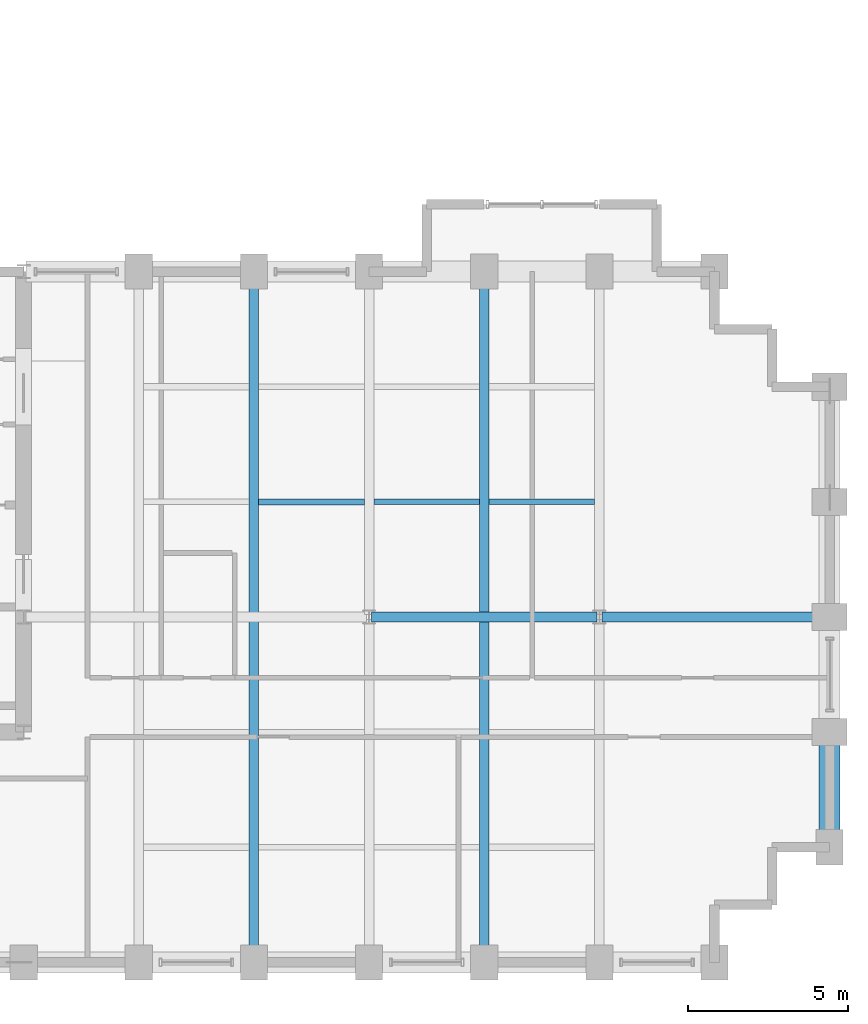
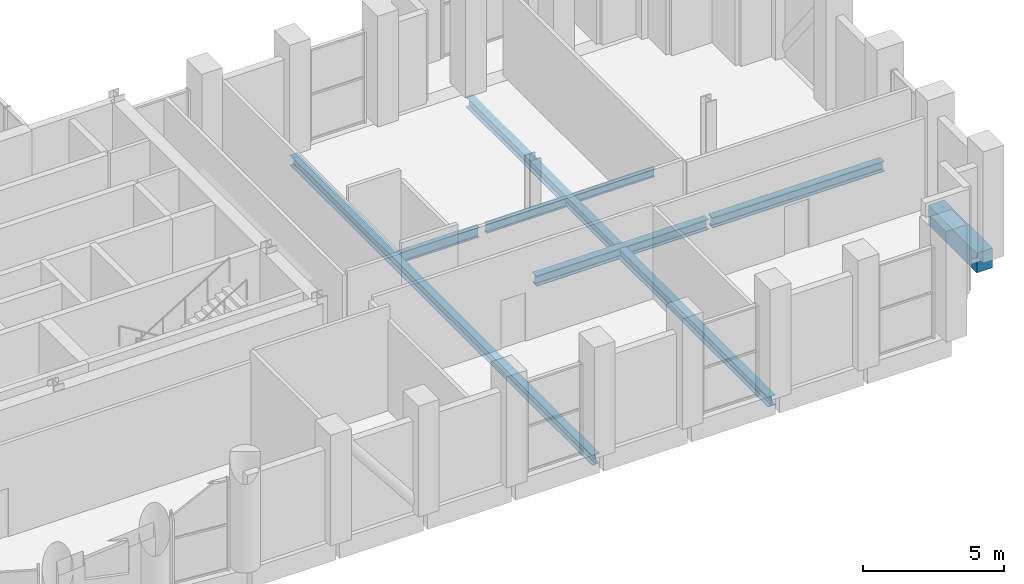
# One storey, part 10 of 22: 8 beams.
"""IFC4 building model written with IfcOpenShell, lengths in metres."""

from ifc_helpers import new_model, si_unit, direction, frame, origin, origin_2d, place, context, subcontext, project, spatial, rectangle, i_section, extrude, material, material_profile, profile_set, type_object, element, save


model = new_model("IFC4")

# Units and contexts
model_context = context("Model", 3, precision=1e-05, world=origin(), true_north=direction((0.0, 1.0)))
body_context = subcontext(model_context, "Body", "Model", "MODEL_VIEW")
ifc_project = project(units=[si_unit("LENGTHUNIT", "METRE"), si_unit("AREAUNIT", "SQUARE_METRE"), si_unit("VOLUMEUNIT", "CUBIC_METRE"), si_unit("PLANEANGLEUNIT", "RADIAN"), si_unit("MASSUNIT", "GRAM", prefix="KILO")], contexts=[model_context])

# Site, building, storey
site_placement = place(None, origin())
site = spatial("IfcSite", under=ifc_project, at=site_placement, CompositionType="ELEMENT")
building_placement = place(site_placement, origin())
building = spatial("IfcBuilding", under=site, at=building_placement, Name="Solnavia Interchange Tower", CompositionType="ELEMENT")
storey_placement = place(building_placement, frame((0.0, 0.0, 115.199951171875)))
storey = spatial("IfcBuildingStorey", under=building, at=storey_placement, Name="L28", CompositionType="ELEMENT", Elevation=115.199951171875)

# Beams
ifc_material_1 = material(Name="Steel S460", Category="steel")
ifc_material_profile_1 = material_profile(ifc_material_1, i_section(OverallWidth=0.300048828125, OverallDepth=0.449951171875, WebThickness=0.013916015625, FlangeThickness=0.02587890625, FilletRadius=0.027099609375, at=origin_2d()), Name="HEB 450")
ifc_profile_set_1 = profile_set([ifc_material_profile_1], Name="Steel S460")
beam_type_1 = type_object("IfcBeamType", Name="Beam-Girder-HEB450", PredefinedType="BEAM", material=ifc_profile_set_1)
for number, where, z_axis, x_axis, name in (
    (1, (43.280029296875, 14.39990234375, -0.544921875), (1.0, 0.0, 0.0), (0.0, 1.0, 0.0), "GRD-L28-ES02 East wing spine girder"),
    (2, (50.47998046875, 14.39990234375, -0.544921875), (1.0, 0.0, 0.0), (0.0, 1.0, 0.0), "GRD-L28-ES03 East wing spine girder"),
):
    element("IfcBeam", number, at=place(storey_placement, frame(where, z_axis=z_axis, x_axis=x_axis)), inside=storey, type_object=beam_type_1, Name=name, PredefinedType="BEAM", context=body_context, shape_type="SweptSolid", body=[
        extrude(i_section(OverallWidth=0.300048828125, OverallDepth=0.449951171875, WebThickness=0.013916015625, FlangeThickness=0.02587890625, FilletRadius=0.027099609375, at=origin_2d()), origin(), (0.0, 0.0, 1.0), 7.0400390625),
    ])
ifc_material_2 = material(Name="Steel S355", Category="steel")
ifc_material_profile_2 = material_profile(ifc_material_2, i_section(OverallWidth=0.169921875, OverallDepth=0.360107421875, WebThickness=0.008056640625, FlangeThickness=0.0126953125, FilletRadius=0.01806640625, at=origin_2d()), Name="IPE 360")
ifc_profile_set_2 = profile_set([ifc_material_profile_2], Name="Steel S355")
beam_type_2 = type_object("IfcBeamType", Name="Beam-Joist-IPE360", PredefinedType="JOIST", material=ifc_profile_set_2)
beam_1_placement = place(storey_placement, frame((46.949951171875, 18.0, -0.5), z_axis=(1.0, 0.0, 0.0), x_axis=(0.0, 1.0, 0.0)))
element("IfcBeam", 3, at=beam_1_placement, inside=storey, type_object=beam_type_2, Name="JST-L28-E12 East wing secondary joist", PredefinedType="JOIST", context=body_context, shape_type="SweptSolid", body=[
    extrude(i_section(OverallWidth=0.169921875, OverallDepth=0.360107421875, WebThickness=0.008056640625, FlangeThickness=0.0126953125, FilletRadius=0.01806640625, at=origin_2d()), origin(), (0.0, 0.0, 1.0), 3.300048828125),
])
ifc_material_profile_3 = material_profile(ifc_material_2, i_section(OverallWidth=0.179931640625, OverallDepth=0.39990234375, WebThickness=0.008544921875, FlangeThickness=0.013427734375, FilletRadius=0.02099609375, at=origin_2d()), Name="IPE 400")
ifc_profile_set_3 = profile_set([ifc_material_profile_3], Name="Steel S355")
beam_type_3 = type_object("IfcBeamType", Name="Beam-Joist-IPE400", PredefinedType="JOIST", material=ifc_profile_set_3)
beam_2_placement = place(storey_placement, frame((43.35009765625, 18.0, -0.52001953125), z_axis=(1.0, 0.0, 0.0), x_axis=(0.0, 1.0, 0.0)))
element("IfcBeam", 4, at=beam_2_placement, inside=storey, type_object=beam_type_3, Name="JST-L28-E11 East wing secondary joist", PredefinedType="JOIST", context=body_context, shape_type="SweptSolid", body=[
    extrude(i_section(OverallWidth=0.179931640625, OverallDepth=0.39990234375, WebThickness=0.008544921875, FlangeThickness=0.013427734375, FilletRadius=0.02099609375, at=origin_2d()), origin(), (0.0, 0.0, 1.0), 3.2998046875),
])
ifc_material_profile_4 = material_profile(ifc_material_2, i_section(OverallWidth=0.18994140625, OverallDepth=0.449951171875, WebThickness=0.009521484375, FlangeThickness=0.0146484375, FilletRadius=0.02099609375, at=origin_2d()), Name="IPE 450")
ifc_profile_set_4 = profile_set([ifc_material_profile_4], Name="Steel S355")
beam_type_4 = type_object("IfcBeamType", Name="Beam-Joist-IPE450", PredefinedType="JOIST", material=ifc_profile_set_4)
beam_3_placement = place(storey_placement, frame((39.75, 18.0, -0.544921875), z_axis=(1.0, 0.0, 0.0), x_axis=(0.0, 1.0, 0.0)))
element("IfcBeam", 5, at=beam_3_placement, inside=storey, type_object=beam_type_4, Name="JST-L28-E10 East wing secondary joist", PredefinedType="JOIST", context=body_context, shape_type="SweptSolid", body=[
    extrude(i_section(OverallWidth=0.18994140625, OverallDepth=0.449951171875, WebThickness=0.009521484375, FlangeThickness=0.0146484375, FilletRadius=0.02099609375, at=origin_2d()), origin(), (0.0, 0.0, 1.0), 3.300048828125),
])
ifc_material_profile_5 = material_profile(ifc_material_2, i_section(OverallWidth=0.300048828125, OverallDepth=0.43994140625, WebThickness=0.011474609375, FlangeThickness=0.02099609375, FilletRadius=0.027099609375, at=origin_2d()), Name="HEA 450")
ifc_profile_set_5 = profile_set([ifc_material_profile_5], Name="Steel S355")
beam_type_5 = type_object("IfcBeamType", Name="Beam-Primary-HEA450", PredefinedType="BEAM", material=ifc_profile_set_5)
for number, where, z_axis, x_axis, name in (
    (6, (39.60009765625, 3.679931640625, -0.5400390625), (0.0, 1.0, 0.0), (-1.0, 0.0, 0.0), "GRD-L28-EW05 East wing primary floor girder"),
    (7, (46.800048828125, 3.679931640625, -0.5400390625), (0.0, 1.0, 0.0), (-1.0, 0.0, 0.0), "GRD-L28-EW08 East wing primary floor girder"),
):
    element("IfcBeam", number, at=place(storey_placement, frame(where, z_axis=z_axis, x_axis=x_axis)), inside=storey, type_object=beam_type_5, Name=name, PredefinedType="BEAM", context=body_context, shape_type="SweptSolid", body=[
        extrude(i_section(OverallWidth=0.300048828125, OverallDepth=0.43994140625, WebThickness=0.011474609375, FlangeThickness=0.02099609375, FilletRadius=0.027099609375, at=origin_2d()), origin(), (0.0, 0.0, 1.0), 21.440185546875),
    ])
ifc_material_3 = material(Name="Concrete C50/60", Category="concrete")
ifc_material_profile_6 = material_profile(ifc_material_3, rectangle(XDim=0.64990234375, YDim=0.85009765625, at=origin_2d()), Name="RC 650x850")
ifc_profile_set_6 = profile_set([ifc_material_profile_6], Name="Concrete C50/60")
beam_type_6 = type_object("IfcBeamType", Name="Beam-Spandrel-RC650x850", PredefinedType="SPANDREL", material=ifc_profile_set_6)
beam_4_placement = place(storey_placement, frame((57.60009765625, 7.280029296875, -0.425048828125), z_axis=(0.0, 1.0, 0.0), x_axis=(-1.0, 0.0, 0.0)))
element("IfcBeam", 8, at=beam_4_placement, inside=storey, type_object=beam_type_6, Name="SPB-L28-17 Framed-tube perimeter spandrel beam", PredefinedType="SPANDREL", context=body_context, shape_type="SweptSolid", body=[
    extrude(rectangle(XDim=0.64990234375, YDim=0.85009765625, at=origin_2d()), origin(), (0.0, 0.0, 1.0), 3.43994140625),
])

save(model, "model.ifc")
